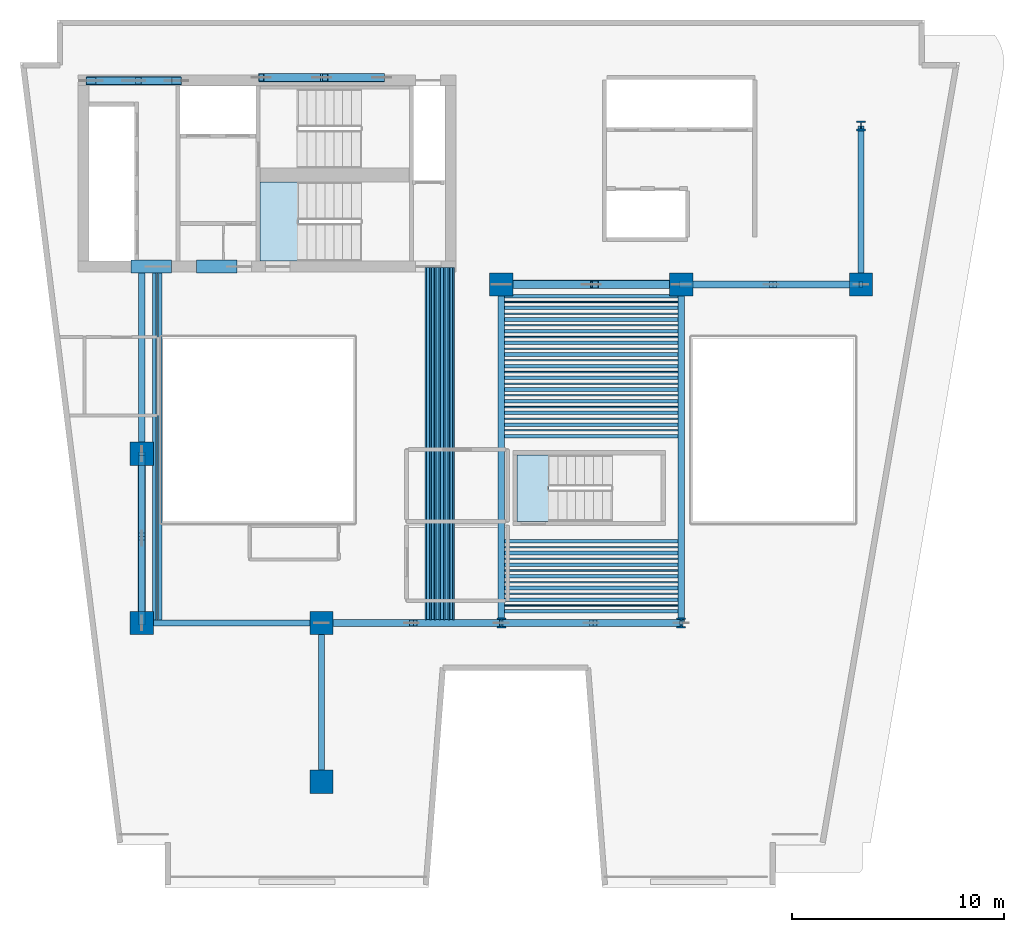
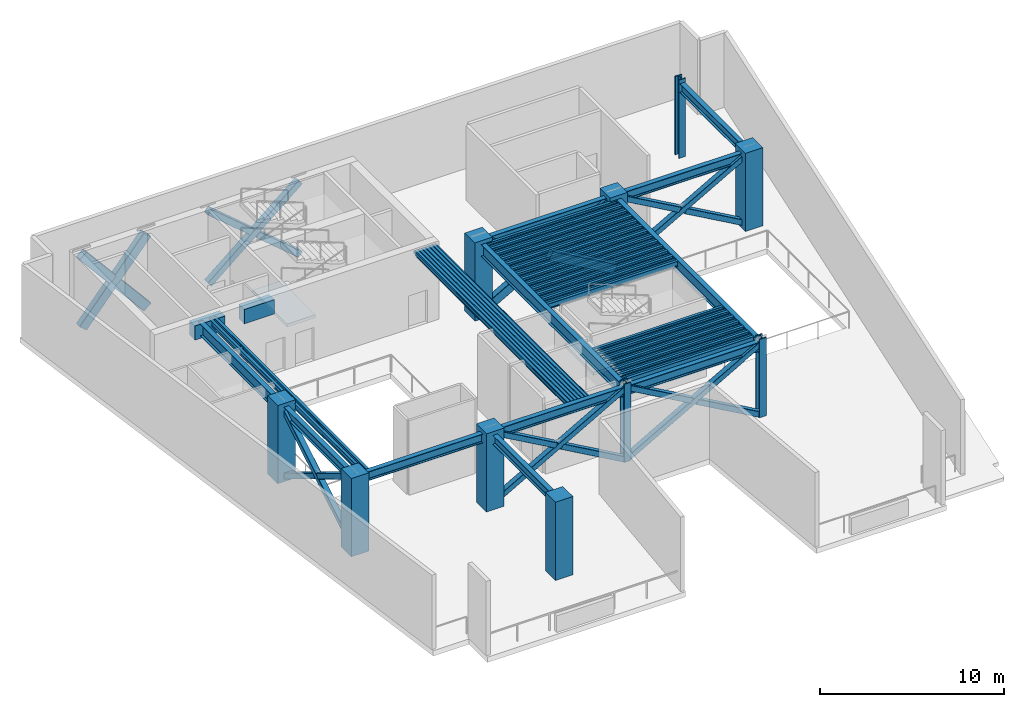
# One storey, part 1 of 8: 67 beams, 21 members, 10 columns, 2 slabs, 2 elements without a shape of their own.
"""IFC4 building model written with IfcOpenShell, lengths in metres."""

from ifc_helpers import new_model, si_unit, direction, frame, origin, origin_2d, place, context, subcontext, project, spatial, polyline, rectangle, hollow_rectangle, i_section, outline, extrude, material, layer, layer_set, material_profile, profile_set, type_object, element, aggregate, save


model = new_model("IFC4")

# Units and contexts
model_context = context("Model", 3, precision=1e-05, world=origin(), true_north=direction((0.0, 1.0)))
body_context = subcontext(model_context, "Body", "Model", "MODEL_VIEW")
ifc_project = project(units=[si_unit("LENGTHUNIT", "METRE"), si_unit("AREAUNIT", "SQUARE_METRE"), si_unit("VOLUMEUNIT", "CUBIC_METRE"), si_unit("PLANEANGLEUNIT", "RADIAN"), si_unit("MASSUNIT", "GRAM", prefix="KILO")], contexts=[model_context])

# Site, building, storey
site_placement = place(None, origin())
site = spatial("IfcSite", under=ifc_project, at=site_placement, CompositionType="ELEMENT")
building_placement = place(site_placement, origin())
building = spatial("IfcBuilding", under=site, at=building_placement, Name="Caeloran Harvest Quay", CompositionType="ELEMENT")
storey_placement = place(building_placement, frame((0.0, 0.0, 178.550048828125)))
storey = spatial("IfcBuildingStorey", under=building, at=storey_placement, Name="L42", CompositionType="ELEMENT", Elevation=178.550048828125)

# Columns
ifc_material_1 = material(Name="Concrete C70/85", Category="concrete")
ifc_material_profile_1 = material_profile(ifc_material_1, rectangle(XDim=1.10009765625, YDim=1.10009765625, at=origin_2d()), Name="RC 1100x1100")
ifc_profile_set_1 = profile_set([ifc_material_profile_1], Name="Concrete C70/85")
column_type_1 = type_object("IfcColumnType", Name="COL-MC-3-RC_1100x1100", PredefinedType="COLUMN", material=ifc_profile_set_1)
for number, where, z_axis, x_axis, name in (
    (1, (8.5, 15.0, 0.0), (0.0, 0.0, 1.0), (1.0, 0.0, 0.0), "L42 Structural Column (8.5, 15.0)"),
    (2, (8.5, 23.0, 0.0), (0.0, 0.0, 1.0), (1.0, 0.0, 0.0), "L42 Structural Column (8.5, 23.0)"),
    (3, (17.0, 7.5, 0.0), (0.0, 0.0, 1.0), (1.0, 0.0, 0.0), "L42 Structural Column (17.0, 7.5)"),
    (4, (17.0, 15.0, 0.0), (0.0, 0.0, 1.0), (1.0, 0.0, 0.0), "L42 Structural Column (17.0, 15.0)"),
    (5, (25.5, 31.0, 0.0), (0.0, 0.0, 1.0), (1.0, 0.0, 0.0), "L42 Structural Column (25.5, 31.0)"),
    (6, (34.0, 31.0, 0.0), (0.0, 0.0, 1.0), (1.0, 0.0, 0.0), "L42 Structural Column (34.0, 31.0)"),
    (7, (42.5, 31.0, 0.0), (0.0, 0.0, 1.0), (1.0, 0.0, 0.0), "L42 Structural Column (42.5, 31.0)"),
):
    element("IfcColumn", number, at=place(storey_placement, frame(where, z_axis=z_axis, x_axis=x_axis)), inside=storey, type_object=column_type_1, Name=name, PredefinedType="COLUMN", context=body_context, shape_type="SweptSolid", body=[
        extrude(rectangle(XDim=1.10009765625, YDim=1.10009765625, at=origin_2d()), origin(), (0.0, 0.0, 1.0), 5.199951171875),
    ])
ifc_material_2 = material(Name="Steel HISTAR 460", Category="steel")
ifc_material_profile_2 = material_profile(ifc_material_2, i_section(OverallWidth=0.424072265625, OverallDepth=0.47412109375, WebThickness=0.047607421875, FlangeThickness=0.076904296875, FilletRadius=0.014892578125, at=origin_2d()), Name="HD 400x634")
ifc_profile_set_2 = profile_set([ifc_material_profile_2], Name="Steel HISTAR 460")
column_type_2 = type_object("IfcColumnType", Name="COL-SC-3-HD_400x634", PredefinedType="COLUMN", material=ifc_profile_set_2)
for number, where, z_axis, x_axis, name in (
    (8, (25.5, 15.0, 0.0), (0.0, 0.0, 1.0), (1.0, 0.0, 0.0), "L42 Structural Column (25.5, 15.0)"),
    (9, (34.0, 15.0, 0.0), (0.0, 0.0, 1.0), (1.0, 0.0, 0.0), "L42 Structural Column (34.0, 15.0)"),
    (10, (42.5, 38.5, 0.0), (0.0, 0.0, 1.0), (1.0, 0.0, 0.0), "L42 Structural Column (42.5, 38.5)"),
):
    element("IfcColumn", number, at=place(storey_placement, frame(where, z_axis=z_axis, x_axis=x_axis)), inside=storey, type_object=column_type_2, Name=name, PredefinedType="COLUMN", context=body_context, shape_type="SweptSolid", body=[
        extrude(i_section(OverallWidth=0.424072265625, OverallDepth=0.47412109375, WebThickness=0.047607421875, FlangeThickness=0.076904296875, FilletRadius=0.014892578125, at=origin_2d()), origin(), (0.0, 0.0, 1.0), 5.199951171875),
    ])

# Beams
ifc_material_3 = material(Name="Concrete C60/75", Category="concrete")
ifc_material_profile_3 = material_profile(ifc_material_3, rectangle(XDim=0.60009765625, YDim=0.949951171875, at=origin_2d()), Name="RC 600x950")
ifc_profile_set_3 = profile_set([ifc_material_profile_3], Name="Concrete C60/75")
beam_type_1 = type_object("IfcBeamType", Name="BM-CB-2-RC_600x950", PredefinedType="LINTEL", material=ifc_profile_set_3)
for number, where, z_axis, x_axis, name in (
    (11, (8.0, 31.85009765625, 4.474853515625), (1.0, 0.0, 0.0), (0.0, 1.0, 0.0), "L42 Core Coupling Beam 1"),
    (12, (11.10009765625, 31.85009765625, 4.474853515625), (1.0, 0.0, 0.0), (0.0, 1.0, 0.0), "L42 Core Coupling Beam 2"),
):
    element("IfcBeam", number, at=place(storey_placement, frame(where, z_axis=z_axis, x_axis=x_axis)), inside=storey, type_object=beam_type_1, Name=name, PredefinedType="LINTEL", context=body_context, shape_type="SweptSolid", body=[
        extrude(rectangle(XDim=0.60009765625, YDim=0.949951171875, at=origin_2d()), origin(), (0.0, 0.0, 1.0), 1.89990234375),
    ])
ifc_material_4 = material(Name="Steel S355J2", Category="steel")
ifc_material_profile_4 = material_profile(ifc_material_4, i_section(OverallWidth=0.300048828125, OverallDepth=0.800048828125, WebThickness=0.017578125, FlangeThickness=0.032958984375, FilletRadius=0.030029296875, at=origin_2d()), Name="HE 800 B")
ifc_profile_set_4 = profile_set([ifc_material_profile_4], Name="Steel S355J2")
beam_type_2 = type_object("IfcBeamType", Name="BM-PG-1-HE_800_B", PredefinedType="BEAM", material=ifc_profile_set_4)
beam_1_placement = place(storey_placement, frame((8.5, 23.0, 4.550048828125), z_axis=(0.0, 1.0, 0.0), x_axis=(-1.0, 0.0, 0.0)))
element("IfcBeam", 13, at=beam_1_placement, inside=storey, type_object=beam_type_2, Name="L42 Core South Tie Girder X=8.5", PredefinedType="BEAM", context=body_context, shape_type="SweptSolid", body=[
    extrude(i_section(OverallWidth=0.300048828125, OverallDepth=0.800048828125, WebThickness=0.017578125, FlangeThickness=0.032958984375, FilletRadius=0.030029296875, at=origin_2d()), origin(), (0.0, 0.0, 1.0), 8.800048828125),
])
for number, where, z_axis, x_axis, name in (
    (14, (25.5, 15.0, 4.550048828125), (0.0, 1.0, 0.0), (-1.0, 0.0, 0.0), "L42 Primary North-South Girder X=25.5"),
    (15, (34.0, 15.0, 4.550048828125), (0.0, 1.0, 0.0), (-1.0, 0.0, 0.0), "L42 Primary North-South Girder X=34.0"),
):
    element("IfcBeam", number, at=place(storey_placement, frame(where, z_axis=z_axis, x_axis=x_axis)), inside=storey, type_object=beam_type_2, Name=name, PredefinedType="BEAM", context=body_context, shape_type="SweptSolid", body=[
        extrude(i_section(OverallWidth=0.300048828125, OverallDepth=0.800048828125, WebThickness=0.017578125, FlangeThickness=0.032958984375, FilletRadius=0.030029296875, at=origin_2d()), origin(), (0.0, 0.0, 1.0), 16.0),
    ])
ifc_material_profile_5 = material_profile(ifc_material_4, i_section(OverallWidth=0.300048828125, OverallDepth=0.60009765625, WebThickness=0.015380859375, FlangeThickness=0.030029296875, FilletRadius=0.027099609375, at=origin_2d()), Name="HE 600 B")
ifc_profile_set_5 = profile_set([ifc_material_profile_5], Name="Steel S355J2")
beam_type_3 = type_object("IfcBeamType", Name="BM-PG-3-HE_600_B", PredefinedType="BEAM", material=ifc_profile_set_5)
for number, where, z_axis, x_axis, name in (
    (16, (8.5, 15.0, 4.64990234375), (1.0, 0.0, 0.0), (0.0, 1.0, 0.0), "L42 Primary East-West Girder Y=15.0"),
    (17, (17.0, 15.0, 4.64990234375), (1.0, 0.0, 0.0), (0.0, 1.0, 0.0), "L42 Primary East-West Girder Y=15.0"),
    (18, (25.5, 15.0, 4.64990234375), (1.0, 0.0, 0.0), (0.0, 1.0, 0.0), "L42 Primary East-West Girder Y=15.0"),
    (19, (25.5, 31.0, 4.64990234375), (1.0, 0.0, 0.0), (0.0, 1.0, 0.0), "L42 Primary East-West Girder Y=31.0"),
    (20, (34.0, 31.0, 4.64990234375), (1.0, 0.0, 0.0), (0.0, 1.0, 0.0), "L42 Primary East-West Girder Y=31.0"),
):
    element("IfcBeam", number, at=place(storey_placement, frame(where, z_axis=z_axis, x_axis=x_axis)), inside=storey, type_object=beam_type_3, Name=name, PredefinedType="BEAM", context=body_context, shape_type="SweptSolid", body=[
        extrude(i_section(OverallWidth=0.300048828125, OverallDepth=0.60009765625, WebThickness=0.015380859375, FlangeThickness=0.030029296875, FilletRadius=0.027099609375, at=origin_2d()), origin(), (0.0, 0.0, 1.0), 8.5),
    ])
beam_2_placement = place(storey_placement, frame((8.5, 15.0, 4.64990234375), z_axis=(0.0, 1.0, 0.0), x_axis=(-1.0, 0.0, 0.0)))
element("IfcBeam", 21, at=beam_2_placement, inside=storey, type_object=beam_type_3, Name="L42 Primary North-South Girder X=8.5", PredefinedType="BEAM", context=body_context, shape_type="SweptSolid", body=[
    extrude(i_section(OverallWidth=0.300048828125, OverallDepth=0.60009765625, WebThickness=0.015380859375, FlangeThickness=0.030029296875, FilletRadius=0.027099609375, at=origin_2d()), origin(), (0.0, 0.0, 1.0), 8.0),
])
for number, where, z_axis, x_axis, name in (
    (22, (17.0, 7.5, 4.64990234375), (0.0, 1.0, 0.0), (-1.0, 0.0, 0.0), "L42 Primary North-South Girder X=17.0"),
    (23, (42.5, 31.0, 4.64990234375), (0.0, 1.0, 0.0), (-1.0, 0.0, 0.0), "L42 Primary North-South Girder X=42.5"),
):
    element("IfcBeam", number, at=place(storey_placement, frame(where, z_axis=z_axis, x_axis=x_axis)), inside=storey, type_object=beam_type_3, Name=name, PredefinedType="BEAM", context=body_context, shape_type="SweptSolid", body=[
        extrude(i_section(OverallWidth=0.300048828125, OverallDepth=0.60009765625, WebThickness=0.015380859375, FlangeThickness=0.030029296875, FilletRadius=0.027099609375, at=origin_2d()), origin(), (0.0, 0.0, 1.0), 7.5),
    ])
ifc_material_profile_6 = material_profile(ifc_material_4, i_section(OverallWidth=0.169921875, OverallDepth=0.360107421875, WebThickness=0.008056640625, FlangeThickness=0.0126953125, FilletRadius=0.01806640625, at=origin_2d()), Name="IPE 360")
ifc_profile_set_6 = profile_set([ifc_material_profile_6], Name="Steel S355J2")
beam_type_4 = type_object("IfcBeamType", Name="BM-SB-5-IPE_360", PredefinedType="JOIST", material=ifc_profile_set_6)
for number, where, z_axis, x_axis, name in (
    (24, (9.086181640625, 15.14501953125, 4.77001953125), (0.0, 1.0, 0.0), (-1.0, 0.0, 0.0), "L42 Secondary Composite Joist"),
    (25, (9.37939453125, 15.14501953125, 4.77001953125), (0.0, 1.0, 0.0), (-1.0, 0.0, 0.0), "L42 Secondary Composite Joist"),
    (26, (22.0361328125, 15.14501953125, 4.77001953125), (0.0, 1.0, 0.0), (-1.0, 0.0, 0.0), "L42 Secondary Composite Joist"),
    (27, (22.255126953125, 15.14501953125, 4.77001953125), (0.0, 1.0, 0.0), (-1.0, 0.0, 0.0), "L42 Secondary Composite Joist"),
    (28, (22.47412109375, 15.14501953125, 4.77001953125), (0.0, 1.0, 0.0), (-1.0, 0.0, 0.0), "L42 Secondary Composite Joist"),
    (29, (22.693115234375, 15.14501953125, 4.77001953125), (0.0, 1.0, 0.0), (-1.0, 0.0, 0.0), "L42 Secondary Composite Joist"),
    (30, (22.912109375, 15.14501953125, 4.77001953125), (0.0, 1.0, 0.0), (-1.0, 0.0, 0.0), "L42 Secondary Composite Joist"),
    (31, (23.131103515625, 15.14501953125, 4.77001953125), (0.0, 1.0, 0.0), (-1.0, 0.0, 0.0), "L42 Secondary Composite Joist"),
):
    element("IfcBeam", number, at=place(storey_placement, frame(where, z_axis=z_axis, x_axis=x_axis)), inside=storey, type_object=beam_type_4, Name=name, PredefinedType="JOIST", context=body_context, shape_type="SweptSolid", body=[
        extrude(i_section(OverallWidth=0.169921875, OverallDepth=0.360107421875, WebThickness=0.008056640625, FlangeThickness=0.0126953125, FilletRadius=0.01806640625, at=origin_2d()), origin(), (0.0, 0.0, 1.0), 16.655029296875),
    ])
for number, where, z_axis, x_axis, name in (
    (32, (25.64501953125, 15.5517578125, 4.77001953125), (1.0, 0.0, 0.0), (0.0, 1.0, 0.0), "L42 Secondary East-West Composite Joist"),
    (33, (25.64501953125, 16.103515625, 4.77001953125), (1.0, 0.0, 0.0), (0.0, 1.0, 0.0), "L42 Secondary East-West Composite Joist"),
    (34, (25.64501953125, 16.6552734375, 4.77001953125), (1.0, 0.0, 0.0), (0.0, 1.0, 0.0), "L42 Secondary East-West Composite Joist"),
    (35, (25.64501953125, 17.206787109375, 4.77001953125), (1.0, 0.0, 0.0), (0.0, 1.0, 0.0), "L42 Secondary East-West Composite Joist"),
    (36, (25.64501953125, 17.758544921875, 4.77001953125), (1.0, 0.0, 0.0), (0.0, 1.0, 0.0), "L42 Secondary East-West Composite Joist"),
    (37, (25.64501953125, 18.310302734375, 4.77001953125), (1.0, 0.0, 0.0), (0.0, 1.0, 0.0), "L42 Secondary East-West Composite Joist"),
    (38, (25.64501953125, 18.862060546875, 4.77001953125), (1.0, 0.0, 0.0), (0.0, 1.0, 0.0), "L42 Secondary East-West Composite Joist"),
    (39, (25.64501953125, 23.82763671875, 4.77001953125), (1.0, 0.0, 0.0), (0.0, 1.0, 0.0), "L42 Secondary East-West Composite Joist"),
    (40, (25.64501953125, 24.37939453125, 4.77001953125), (1.0, 0.0, 0.0), (0.0, 1.0, 0.0), "L42 Secondary East-West Composite Joist"),
    (41, (25.64501953125, 24.930908203125, 4.77001953125), (1.0, 0.0, 0.0), (0.0, 1.0, 0.0), "L42 Secondary East-West Composite Joist"),
    (42, (25.64501953125, 25.48291015625, 4.77001953125), (1.0, 0.0, 0.0), (0.0, 1.0, 0.0), "L42 Secondary East-West Composite Joist"),
    (43, (25.64501953125, 26.034423828125, 4.77001953125), (1.0, 0.0, 0.0), (0.0, 1.0, 0.0), "L42 Secondary East-West Composite Joist"),
    (44, (25.64501953125, 26.586181640625, 4.77001953125), (1.0, 0.0, 0.0), (0.0, 1.0, 0.0), "L42 Secondary East-West Composite Joist"),
    (45, (25.64501953125, 27.137939453125, 4.77001953125), (1.0, 0.0, 0.0), (0.0, 1.0, 0.0), "L42 Secondary East-West Composite Joist"),
    (46, (25.64501953125, 27.689697265625, 4.77001953125), (1.0, 0.0, 0.0), (0.0, 1.0, 0.0), "L42 Secondary East-West Composite Joist"),
    (47, (25.64501953125, 28.241455078125, 4.77001953125), (1.0, 0.0, 0.0), (0.0, 1.0, 0.0), "L42 Secondary East-West Composite Joist"),
    (48, (25.64501953125, 28.793212890625, 4.77001953125), (1.0, 0.0, 0.0), (0.0, 1.0, 0.0), "L42 Secondary East-West Composite Joist"),
    (49, (25.64501953125, 29.3447265625, 4.77001953125), (1.0, 0.0, 0.0), (0.0, 1.0, 0.0), "L42 Secondary East-West Composite Joist"),
    (50, (25.64501953125, 29.896484375, 4.77001953125), (1.0, 0.0, 0.0), (0.0, 1.0, 0.0), "L42 Secondary East-West Composite Joist"),
    (51, (25.64501953125, 30.4482421875, 4.77001953125), (1.0, 0.0, 0.0), (0.0, 1.0, 0.0), "L42 Secondary East-West Composite Joist"),
):
    element("IfcBeam", number, at=place(storey_placement, frame(where, z_axis=z_axis, x_axis=x_axis)), inside=storey, type_object=beam_type_4, Name=name, PredefinedType="JOIST", context=body_context, shape_type="SweptSolid", body=[
        extrude(i_section(OverallWidth=0.169921875, OverallDepth=0.360107421875, WebThickness=0.008056640625, FlangeThickness=0.0126953125, FilletRadius=0.01806640625, at=origin_2d()), origin(), (0.0, 0.0, 1.0), 8.2099609375),
    ])
ifc_material_profile_7 = material_profile(ifc_material_4, hollow_rectangle(XDim=0.080078125, YDim=0.199951171875, WallThickness=0.006103515625, InnerFilletRadius=0.006103515625, OuterFilletRadius=0.009033203125, at=origin_2d()), Name="RHS 200x80x6")
ifc_profile_set_7 = profile_set([ifc_material_profile_7], Name="Steel S355J2")
beam_type_5 = type_object("IfcBeamType", Name="BM-SB-7-RHS_200x80x6", PredefinedType="JOIST", material=ifc_profile_set_7)
for number, where, z_axis, x_axis, name in (
    (52, (9.23291015625, 15.14501953125, 4.849853515625), (0.0, 1.0, 0.0), (-1.0, 0.0, 0.0), "L42 Secondary Composite Joist"),
    (53, (21.9267578125, 15.14501953125, 4.849853515625), (0.0, 1.0, 0.0), (-1.0, 0.0, 0.0), "L42 Secondary Composite Joist"),
    (54, (22.145751953125, 15.14501953125, 4.849853515625), (0.0, 1.0, 0.0), (-1.0, 0.0, 0.0), "L42 Secondary Composite Joist"),
    (55, (22.36474609375, 15.14501953125, 4.849853515625), (0.0, 1.0, 0.0), (-1.0, 0.0, 0.0), "L42 Secondary Composite Joist"),
    (56, (22.58349609375, 15.14501953125, 4.849853515625), (0.0, 1.0, 0.0), (-1.0, 0.0, 0.0), "L42 Secondary Composite Joist"),
    (57, (22.802490234375, 15.14501953125, 4.849853515625), (0.0, 1.0, 0.0), (-1.0, 0.0, 0.0), "L42 Secondary Composite Joist"),
    (58, (23.021484375, 15.14501953125, 4.849853515625), (0.0, 1.0, 0.0), (-1.0, 0.0, 0.0), "L42 Secondary Composite Joist"),
    (59, (23.240478515625, 15.14501953125, 4.849853515625), (0.0, 1.0, 0.0), (-1.0, 0.0, 0.0), "L42 Secondary Composite Joist"),
):
    element("IfcBeam", number, at=place(storey_placement, frame(where, z_axis=z_axis, x_axis=x_axis)), inside=storey, type_object=beam_type_5, Name=name, PredefinedType="JOIST", context=body_context, shape_type="SweptSolid", body=[
        extrude(hollow_rectangle(XDim=0.080078125, YDim=0.199951171875, WallThickness=0.006103515625, InnerFilletRadius=0.006103515625, OuterFilletRadius=0.009033203125, at=origin_2d()), origin(), (0.0, 0.0, 1.0), 16.655029296875),
    ])
for number, where, z_axis, x_axis, name in (
    (60, (25.64501953125, 15.82763671875, 4.849853515625), (1.0, 0.0, 0.0), (0.0, 1.0, 0.0), "L42 Secondary East-West Composite Joist"),
    (61, (25.64501953125, 16.37939453125, 4.849853515625), (1.0, 0.0, 0.0), (0.0, 1.0, 0.0), "L42 Secondary East-West Composite Joist"),
    (62, (25.64501953125, 16.930908203125, 4.849853515625), (1.0, 0.0, 0.0), (0.0, 1.0, 0.0), "L42 Secondary East-West Composite Joist"),
    (63, (25.64501953125, 17.48291015625, 4.849853515625), (1.0, 0.0, 0.0), (0.0, 1.0, 0.0), "L42 Secondary East-West Composite Joist"),
    (64, (25.64501953125, 18.034423828125, 4.849853515625), (1.0, 0.0, 0.0), (0.0, 1.0, 0.0), "L42 Secondary East-West Composite Joist"),
    (65, (25.64501953125, 18.586181640625, 4.849853515625), (1.0, 0.0, 0.0), (0.0, 1.0, 0.0), "L42 Secondary East-West Composite Joist"),
    (66, (25.64501953125, 24.103515625, 4.849853515625), (1.0, 0.0, 0.0), (0.0, 1.0, 0.0), "L42 Secondary East-West Composite Joist"),
    (67, (25.64501953125, 24.6552734375, 4.849853515625), (1.0, 0.0, 0.0), (0.0, 1.0, 0.0), "L42 Secondary East-West Composite Joist"),
    (68, (25.64501953125, 25.206787109375, 4.849853515625), (1.0, 0.0, 0.0), (0.0, 1.0, 0.0), "L42 Secondary East-West Composite Joist"),
    (69, (25.64501953125, 25.758544921875, 4.849853515625), (1.0, 0.0, 0.0), (0.0, 1.0, 0.0), "L42 Secondary East-West Composite Joist"),
    (70, (25.64501953125, 26.310302734375, 4.849853515625), (1.0, 0.0, 0.0), (0.0, 1.0, 0.0), "L42 Secondary East-West Composite Joist"),
    (71, (25.64501953125, 26.862060546875, 4.849853515625), (1.0, 0.0, 0.0), (0.0, 1.0, 0.0), "L42 Secondary East-West Composite Joist"),
    (72, (25.64501953125, 27.413818359375, 4.849853515625), (1.0, 0.0, 0.0), (0.0, 1.0, 0.0), "L42 Secondary East-West Composite Joist"),
    (73, (25.64501953125, 27.965576171875, 4.849853515625), (1.0, 0.0, 0.0), (0.0, 1.0, 0.0), "L42 Secondary East-West Composite Joist"),
    (74, (25.64501953125, 28.51708984375, 4.849853515625), (1.0, 0.0, 0.0), (0.0, 1.0, 0.0), "L42 Secondary East-West Composite Joist"),
    (75, (25.64501953125, 29.069091796875, 4.849853515625), (1.0, 0.0, 0.0), (0.0, 1.0, 0.0), "L42 Secondary East-West Composite Joist"),
    (76, (25.64501953125, 29.62060546875, 4.849853515625), (1.0, 0.0, 0.0), (0.0, 1.0, 0.0), "L42 Secondary East-West Composite Joist"),
    (77, (25.64501953125, 30.17236328125, 4.849853515625), (1.0, 0.0, 0.0), (0.0, 1.0, 0.0), "L42 Secondary East-West Composite Joist"),
):
    element("IfcBeam", number, at=place(storey_placement, frame(where, z_axis=z_axis, x_axis=x_axis)), inside=storey, type_object=beam_type_5, Name=name, PredefinedType="JOIST", context=body_context, shape_type="SweptSolid", body=[
        extrude(hollow_rectangle(XDim=0.080078125, YDim=0.199951171875, WallThickness=0.006103515625, InnerFilletRadius=0.006103515625, OuterFilletRadius=0.009033203125, at=origin_2d()), origin(), (0.0, 0.0, 1.0), 8.2099609375),
    ])

# Members
ifc_material_profile_8 = material_profile(ifc_material_2, hollow_rectangle(XDim=0.35009765625, YDim=0.35009765625, WallThickness=0.01611328125, InnerFilletRadius=0.01611328125, OuterFilletRadius=0.02392578125, at=origin_2d()), Name="SHS 350x350x16")
ifc_profile_set_8 = profile_set([ifc_material_profile_8], Name="Steel HISTAR 460")
member_type_1 = type_object("IfcMemberType", Name="MEM-BT-1-SHS_350x350x16", PredefinedType="BRACE", material=ifc_profile_set_8)
member_1_placement = place(storey_placement, frame((8.5, 15.0, 0.06005859375), z_axis=(0.0, 0.857028720509, 0.515268640831), x_axis=(-1.0, 0.0, 0.0)))
element("IfcMember", 78, at=member_1_placement, inside=storey, type_object=member_type_1, Name="L42 Perimeter Belt Truss Continuous Brace BELT-W1 A", PredefinedType="BRACE", context=body_context, shape_type="SweptSolid", body=[
    extrude(hollow_rectangle(XDim=0.35009765625, YDim=0.35009765625, WallThickness=0.01611328125, InnerFilletRadius=0.01611328125, OuterFilletRadius=0.02392578125, at=origin_2d()), origin(), (0.0, 0.0, 1.0), 9.33447265625),
])
for number, where, z_axis, x_axis, name in (
    (79, (8.5, 15.0, 4.869873046875), (0.0, 0.857039309863, -0.515251027509), (-1.0, 0.0, 0.0), "L42 Perimeter Belt Truss Split Brace BELT-W1 B1"),
    (80, (8.5, 19.17138671875, 2.36181640625), (0.0, 0.857039309863, -0.515251027509), (-1.0, 0.0, 0.0), "L42 Perimeter Belt Truss Split Brace BELT-W1 B2"),
):
    element("IfcMember", number, at=place(storey_placement, frame(where, z_axis=z_axis, x_axis=x_axis)), inside=storey, type_object=member_type_1, Name=name, PredefinedType="BRACE", context=body_context, shape_type="SweptSolid", body=[
        extrude(hollow_rectangle(XDim=0.35009765625, YDim=0.35009765625, WallThickness=0.01611328125, InnerFilletRadius=0.01611328125, OuterFilletRadius=0.02392578125, at=origin_2d()), origin(), (0.0, 0.0, 1.0), 4.46728515625),
    ])
member_2_placement = place(storey_placement, frame((17.0, 15.0, 0.06005859375), z_axis=(0.870322964324, 0.0, 0.492481408552), x_axis=(0.0, 1.0, 0.0)))
element("IfcMember", 81, at=member_2_placement, inside=storey, type_object=member_type_1, Name="L42 Perimeter Belt Truss Continuous Brace BELT-S2 A", PredefinedType="BRACE", context=body_context, shape_type="SweptSolid", body=[
    extrude(hollow_rectangle(XDim=0.35009765625, YDim=0.35009765625, WallThickness=0.01611328125, InnerFilletRadius=0.01611328125, OuterFilletRadius=0.02392578125, at=origin_2d()), origin(), (0.0, 0.0, 1.0), 9.7666015625),
])
for number, where, z_axis, x_axis, name in (
    (82, (17.0, 15.0, 4.869873046875), (0.870323890411, 0.0, -0.49247977195), (0.0, 1.0, 0.0), "L42 Perimeter Belt Truss Split Brace BELT-S2 B1"),
    (83, (21.424072265625, 15.0, 2.366455078125), (0.870323890411, 0.0, -0.49247977195), (0.0, 1.0, 0.0), "L42 Perimeter Belt Truss Split Brace BELT-S2 B2"),
):
    element("IfcMember", number, at=place(storey_placement, frame(where, z_axis=z_axis, x_axis=x_axis)), inside=storey, type_object=member_type_1, Name=name, PredefinedType="BRACE", context=body_context, shape_type="SweptSolid", body=[
        extrude(hollow_rectangle(XDim=0.35009765625, YDim=0.35009765625, WallThickness=0.01611328125, InnerFilletRadius=0.01611328125, OuterFilletRadius=0.02392578125, at=origin_2d()), origin(), (0.0, 0.0, 1.0), 4.683349609375),
    ])
member_3_placement = place(storey_placement, frame((25.5, 15.0, 0.06005859375), z_axis=(0.870322964324, 0.0, 0.492481408552), x_axis=(0.0, 1.0, 0.0)))
element("IfcMember", 84, at=member_3_placement, inside=storey, type_object=member_type_1, Name="L42 Perimeter Belt Truss Continuous Brace BELT-S3 A", PredefinedType="BRACE", context=body_context, shape_type="SweptSolid", body=[
    extrude(hollow_rectangle(XDim=0.35009765625, YDim=0.35009765625, WallThickness=0.01611328125, InnerFilletRadius=0.01611328125, OuterFilletRadius=0.02392578125, at=origin_2d()), origin(), (0.0, 0.0, 1.0), 9.7666015625),
])
for number, where, z_axis, x_axis, name in (
    (85, (25.5, 15.0, 4.869873046875), (0.870323890411, 0.0, -0.49247977195), (0.0, 1.0, 0.0), "L42 Perimeter Belt Truss Split Brace BELT-S3 B1"),
    (86, (29.924072265625, 15.0, 2.366455078125), (0.870323890411, 0.0, -0.49247977195), (0.0, 1.0, 0.0), "L42 Perimeter Belt Truss Split Brace BELT-S3 B2"),
):
    element("IfcMember", number, at=place(storey_placement, frame(where, z_axis=z_axis, x_axis=x_axis)), inside=storey, type_object=member_type_1, Name=name, PredefinedType="BRACE", context=body_context, shape_type="SweptSolid", body=[
        extrude(hollow_rectangle(XDim=0.35009765625, YDim=0.35009765625, WallThickness=0.01611328125, InnerFilletRadius=0.01611328125, OuterFilletRadius=0.02392578125, at=origin_2d()), origin(), (0.0, 0.0, 1.0), 4.683349609375),
    ])
member_4_placement = place(storey_placement, frame((34.0, 31.0, 0.06005859375), z_axis=(0.870322964324, 0.0, 0.492481408552), x_axis=(0.0, 1.0, 0.0)))
element("IfcMember", 87, at=member_4_placement, inside=storey, type_object=member_type_1, Name="L42 Perimeter Belt Truss Continuous Brace BELT-N2 A", PredefinedType="BRACE", context=body_context, shape_type="SweptSolid", body=[
    extrude(hollow_rectangle(XDim=0.35009765625, YDim=0.35009765625, WallThickness=0.01611328125, InnerFilletRadius=0.01611328125, OuterFilletRadius=0.02392578125, at=origin_2d()), origin(), (0.0, 0.0, 1.0), 9.7666015625),
])
for number, where, z_axis, x_axis, name in (
    (88, (34.0, 31.0, 4.869873046875), (0.870323890411, 0.0, -0.49247977195), (0.0, 1.0, 0.0), "L42 Perimeter Belt Truss Split Brace BELT-N2 B1"),
    (89, (38.424072265625, 31.0, 2.366455078125), (0.870323890411, 0.0, -0.49247977195), (0.0, 1.0, 0.0), "L42 Perimeter Belt Truss Split Brace BELT-N2 B2"),
):
    element("IfcMember", number, at=place(storey_placement, frame(where, z_axis=z_axis, x_axis=x_axis)), inside=storey, type_object=member_type_1, Name=name, PredefinedType="BRACE", context=body_context, shape_type="SweptSolid", body=[
        extrude(hollow_rectangle(XDim=0.35009765625, YDim=0.35009765625, WallThickness=0.01611328125, InnerFilletRadius=0.01611328125, OuterFilletRadius=0.02392578125, at=origin_2d()), origin(), (0.0, 0.0, 1.0), 4.683349609375),
    ])
ifc_material_profile_9 = material_profile(ifc_material_2, hollow_rectangle(XDim=0.39990234375, YDim=0.60009765625, WallThickness=0.02490234375, InnerFilletRadius=0.02490234375, OuterFilletRadius=0.03759765625, at=origin_2d()), Name="RHS 600x400x25")
ifc_profile_set_9 = profile_set([ifc_material_profile_9], Name="Steel HISTAR 460")
member_type_2 = type_object("IfcMemberType", Name="MEM-OU-1-RHS_600x400x25", PredefinedType="BRACE", material=ifc_profile_set_9)
member_5_placement = place(storey_placement, frame((6.10009765625, 40.625, 0.06005859375), z_axis=(0.644083134173, 0.0, 0.764955499538), x_axis=(0.0, 1.0, 0.0)))
element("IfcMember", 90, at=member_5_placement, inside=storey, type_object=member_type_2, Name="L42 Outrigger Truss Continuous Diagonal N-CORE1 A", PredefinedType="BRACE", context=body_context, shape_type="SweptSolid", body=[
    extrude(hollow_rectangle(XDim=0.39990234375, YDim=0.60009765625, WallThickness=0.02490234375, InnerFilletRadius=0.02490234375, OuterFilletRadius=0.03759765625, at=origin_2d()), origin(), (0.0, 0.0, 1.0), 6.28759765625),
])
for number, where, z_axis, x_axis, name in (
    (91, (6.10009765625, 40.625, 4.869873046875), (0.644110032649, 0.0, -0.764932850544), (0.0, 1.0, 0.0), "L42 Outrigger Truss Split Diagonal N-CORE1 B1"),
    (92, (8.2666015625, 40.625, 2.296630859375), (0.644110032649, 0.0, -0.764932850544), (0.0, 1.0, 0.0), "L42 Outrigger Truss Split Diagonal N-CORE1 B2"),
):
    element("IfcMember", number, at=place(storey_placement, frame(where, z_axis=z_axis, x_axis=x_axis)), inside=storey, type_object=member_type_2, Name=name, PredefinedType="BRACE", context=body_context, shape_type="SweptSolid", body=[
        extrude(hollow_rectangle(XDim=0.39990234375, YDim=0.60009765625, WallThickness=0.02490234375, InnerFilletRadius=0.02490234375, OuterFilletRadius=0.03759765625, at=origin_2d()), origin(), (0.0, 0.0, 1.0), 2.923828125),
    ])
member_6_placement = place(storey_placement, frame((25.5, 31.0, 0.06005859375), z_axis=(0.870322964324, 0.0, 0.492481408552), x_axis=(0.0, 1.0, 0.0)))
element("IfcMember", 93, at=member_6_placement, inside=storey, type_object=member_type_2, Name="L42 Outrigger Truss Continuous Diagonal N-CORE3 A", PredefinedType="BRACE", context=body_context, shape_type="SweptSolid", body=[
    extrude(hollow_rectangle(XDim=0.39990234375, YDim=0.60009765625, WallThickness=0.02490234375, InnerFilletRadius=0.02490234375, OuterFilletRadius=0.03759765625, at=origin_2d()), origin(), (0.0, 0.0, 1.0), 9.7666015625),
])
for number, where, z_axis, x_axis, name in (
    (94, (25.5, 31.0, 4.869873046875), (0.870319942809, 0.0, -0.492486748196), (0.0, 1.0, 0.0), "L42 Outrigger Truss Split Diagonal N-CORE3 B1"),
    (95, (29.94140625, 31.0, 2.356689453125), (0.870319942809, 0.0, -0.492486748196), (0.0, 1.0, 0.0), "L42 Outrigger Truss Split Diagonal N-CORE3 B2"),
):
    element("IfcMember", number, at=place(storey_placement, frame(where, z_axis=z_axis, x_axis=x_axis)), inside=storey, type_object=member_type_2, Name=name, PredefinedType="BRACE", context=body_context, shape_type="SweptSolid", body=[
        extrude(hollow_rectangle(XDim=0.39990234375, YDim=0.60009765625, WallThickness=0.02490234375, InnerFilletRadius=0.02490234375, OuterFilletRadius=0.03759765625, at=origin_2d()), origin(), (0.0, 0.0, 1.0), 4.663330078125),
    ])
ifc_material_profile_10 = material_profile(ifc_material_2, hollow_rectangle(XDim=0.39990234375, YDim=0.39990234375, WallThickness=0.02001953125, InnerFilletRadius=0.02001953125, OuterFilletRadius=0.030029296875, at=origin_2d()), Name="SHS 400x400x20")
ifc_profile_set_10 = profile_set([ifc_material_profile_10], Name="Steel HISTAR 460")
member_type_3 = type_object("IfcMemberType", Name="MEM-OU-2-SHS_400x400x20", PredefinedType="BRACE", material=ifc_profile_set_10)
member_7_placement = place(storey_placement, frame((14.14990234375, 40.780029296875, 0.06005859375), z_axis=(0.764273332923, 0.0, 0.644892450399), x_axis=(0.0, 1.0, 0.0)))
element("IfcMember", 96, at=member_7_placement, inside=storey, type_object=member_type_3, Name="L42 Outrigger Truss Continuous Diagonal N-CORE2 A", PredefinedType="BRACE", context=body_context, shape_type="SweptSolid", body=[
    extrude(hollow_rectangle(XDim=0.39990234375, YDim=0.39990234375, WallThickness=0.02001953125, InnerFilletRadius=0.02001953125, OuterFilletRadius=0.030029296875, at=origin_2d()), origin(), (0.0, 0.0, 1.0), 7.458251953125),
])
for number, where, z_axis, x_axis, name in (
    (97, (14.14990234375, 40.780029296875, 4.869873046875), (0.764277552524, 0.0, -0.644887449644), (0.0, 1.0, 0.0), "L42 Outrigger Truss Split Diagonal N-CORE2 B1"),
    (98, (17.168212890625, 40.780029296875, 2.322998046875), (0.764277552524, 0.0, -0.644887449644), (0.0, 1.0, 0.0), "L42 Outrigger Truss Split Diagonal N-CORE2 B2"),
):
    element("IfcMember", number, at=place(storey_placement, frame(where, z_axis=z_axis, x_axis=x_axis)), inside=storey, type_object=member_type_3, Name=name, PredefinedType="BRACE", context=body_context, shape_type="SweptSolid", body=[
        extrude(hollow_rectangle(XDim=0.39990234375, YDim=0.39990234375, WallThickness=0.02001953125, InnerFilletRadius=0.02001953125, OuterFilletRadius=0.030029296875, at=origin_2d()), origin(), (0.0, 0.0, 1.0), 3.509033203125),
    ])

# Stair, slab
ifc_material_5 = material(Name="Concrete C50/60", Category="concrete")
stair_type_1 = type_object("IfcStairType", Name="STAIR-STC-180", PredefinedType="HALF_TURN_STAIR", material=ifc_material_5)
stair_1_placement = place(storey_placement, origin())
stair_1 = element("IfcStair", 99, at=stair_1_placement, inside=storey, type_object=stair_type_1, Name="L42 Core Pressurized Exit Stair ST-C2", PredefinedType="HALF_TURN_STAIR")
ifc_layer = layer(ifc_material_5, 0.219970703125, Name="Concrete C50/60")
ifc_layer_set = layer_set([ifc_layer], Name="Concrete C50/60")
slab_type = type_object("IfcSlabType", Name="STAIR-LANDING-220", PredefinedType="LANDING", material=ifc_layer_set)
slab_1_placement = place(storey_placement, frame((0.0, 0.0, 2.39990234375)))
slab_1 = element("IfcSlab", 100, at=slab_1_placement, type_object=slab_type, Name="ST-C2 landing 2", PredefinedType="LANDING", context=body_context, shape_type="SweptSolid", body=[
    extrude(outline(polyline([(14.10009765625, 32.10009765625), (15.89990234375, 32.10009765625), (15.89990234375, 35.85009765625), (14.10009765625, 35.85009765625), (14.10009765625, 32.10009765625)])), origin(), (0.0, 0.0, 1.0), 0.199951171875),
])
aggregate(stair_1, [slab_1])

stair_type_2 = type_object("IfcStairType", Name="STAIR-STW-150", PredefinedType="HALF_TURN_STAIR", material=ifc_material_5)
stair_2_placement = place(storey_placement, origin())
stair_2 = element("IfcStair", 101, at=stair_2_placement, inside=storey, type_object=stair_type_2, Name="L42 East Wing Protected Exit Stair ST-W1", PredefinedType="HALF_TURN_STAIR")
slab_2_placement = place(storey_placement, frame((0.0, 0.0, 2.39990234375)))
slab_2 = element("IfcSlab", 102, at=slab_2_placement, type_object=slab_type, Name="ST-W1 landing 2", PredefinedType="LANDING", context=body_context, shape_type="SweptSolid", body=[
    extrude(outline(polyline([(26.25, 19.800048828125), (27.75, 19.800048828125), (27.75, 22.949951171875), (26.25, 22.949951171875), (26.25, 19.800048828125)])), origin(), (0.0, 0.0, 1.0), 0.199951171875),
])
aggregate(stair_2, [slab_2])

save(model, "model.ifc")
